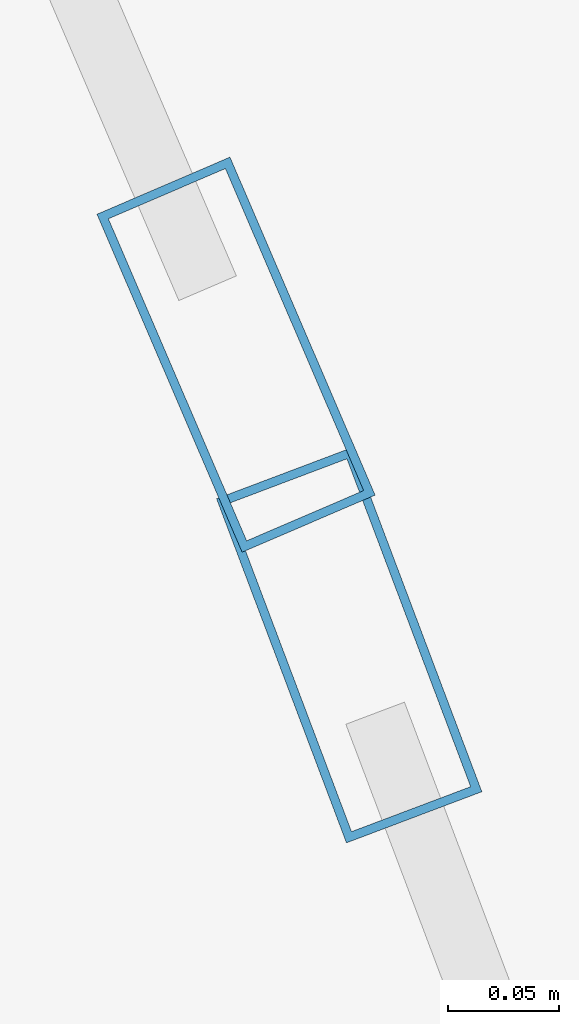
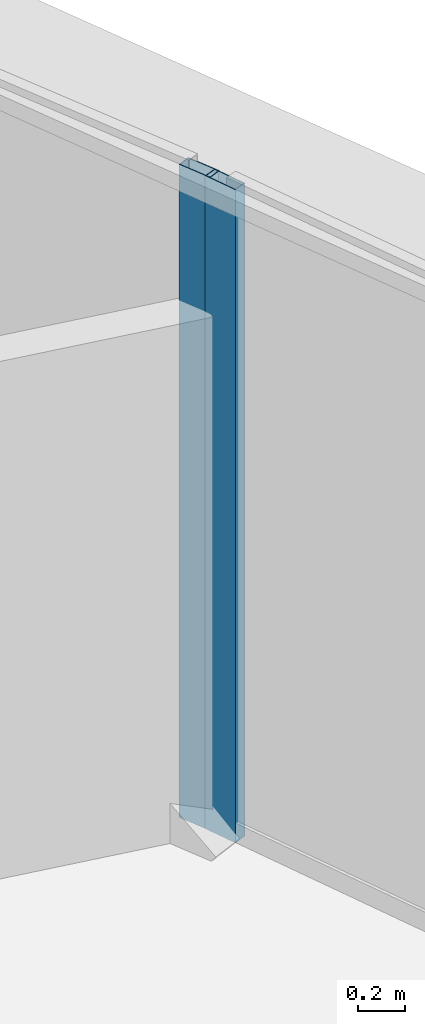
# One storey, part 23 of 42: 2 members, 2 elements without a shape of their own.
"""IFC4 building model written with IfcOpenShell, lengths in metres."""

from ifc_helpers import new_model, si_unit, direction, frame, origin, origin_2d, place, context, subcontext, project, spatial, hollow_rectangle, extrude, source, transform, mapped, material, layer, layer_set, material_profile, profile_set, type_object, element, aggregate, save


model = new_model("IFC4")

# Units and contexts
model_context = context("Model", 3, precision=1e-05, world=origin(), true_north=direction((0.0, 1.0)))
body_context = subcontext(model_context, "Body", "Model", "MODEL_VIEW")
ifc_project = project(units=[si_unit("LENGTHUNIT", "METRE"), si_unit("AREAUNIT", "SQUARE_METRE"), si_unit("VOLUMEUNIT", "CUBIC_METRE"), si_unit("PLANEANGLEUNIT", "RADIAN"), si_unit("MASSUNIT", "GRAM", prefix="KILO"), si_unit("THERMODYNAMICTEMPERATUREUNIT", "KELVIN"), si_unit("POWERUNIT", "WATT")], contexts=[model_context])

# Site, building, storey
site_placement = place(None, origin())
site = spatial("IfcSite", under=ifc_project, at=site_placement, CompositionType="ELEMENT")
building_placement = place(site_placement, origin())
building = spatial("IfcBuilding", under=site, at=building_placement, Name="Yunzhuo Pagoda Commons", CompositionType="ELEMENT")
storey_placement = place(building_placement, frame((0.0, 0.0, 48.550048828125)))
storey = spatial("IfcBuildingStorey", under=building, at=storey_placement, Name="L12", CompositionType="ELEMENT", Elevation=48.550048828125)

# Curtain wall, member
ifc_material = material(Name="Anodized aluminium 6063-T6", Category="aluminium")
ifc_layer = layer(ifc_material, 0.1650390625)
ifc_layer_set = layer_set([ifc_layer], Name="Anodized aluminium 6063-T6")
curtain_wall_type = type_object("IfcCurtainWallType", Name="CW-LOW Low-Zone Ribbon Curtain Wall", PredefinedType="NOTDEFINED", material=ifc_layer_set)
curtain_wall_1_placement = place(storey_placement, origin())
curtain_wall_1 = element("IfcCurtainWall", 1, at=curtain_wall_1_placement, inside=storey, type_object=curtain_wall_type, Name="L12 curtain wall CW-L12-F2B2", PredefinedType="NOTDEFINED")
ifc_material_profile = material_profile(ifc_material, hollow_rectangle(XDim=0.06494140625, YDim=0.1650390625, WallThickness=0.00390625, at=origin_2d()), Name="Anodized aluminium 6063-T6")
ifc_profile_set = profile_set([ifc_material_profile], Name="Anodized aluminium 6063-T6")
member_type = type_object("IfcMemberType", Name="CW-LOW-M Mullion RHS 165x65x4", PredefinedType="MULLION", material=ifc_profile_set)
shared_shape = source(origin(), body_context, "Body", "SweptSolid", [
    extrude(hollow_rectangle(XDim=0.06494140625, YDim=0.1650390625, WallThickness=0.00390625, at=origin_2d()), origin(), (0.0, 0.0, 1.0), 3.369873046875),
])
member_1_placement = place(storey_placement, frame((89.74658203125, 26.366455078125, 0.0), z_axis=(0.0, 0.0, 1.0), x_axis=(-0.918865619656, -0.394570618538, 0.0)))
member_1 = element("IfcMember", 2, at=member_1_placement, type_object=member_type, Name="CW mullion 1", PredefinedType="MULLION", context=body_context, shape_type="MappedRepresentation", body=[
    mapped(shared_shape, transform((0.0, 0.0, 0.0), scale=1.0)),
])
aggregate(curtain_wall_1, [member_1])

curtain_wall_2_placement = place(storey_placement, origin())
curtain_wall_2 = element("IfcCurtainWall", 3, at=curtain_wall_2_placement, inside=storey, type_object=curtain_wall_type, Name="L12 curtain wall CW-L12-F2B1", PredefinedType="NOTDEFINED")
member_2_placement = place(storey_placement, frame((89.79736328125, 26.236083984375, 0.0), z_axis=(0.0, 0.0, 1.0), x_axis=(-0.935566420146, -0.353150780113, 0.0)))
member_2 = element("IfcMember", 4, at=member_2_placement, type_object=member_type, Name="CW mullion 2", PredefinedType="MULLION", context=body_context, shape_type="MappedRepresentation", body=[
    mapped(shared_shape, transform((0.0, 0.0, 0.0), scale=1.0)),
])
aggregate(curtain_wall_2, [member_2])

save(model, "model.ifc")
